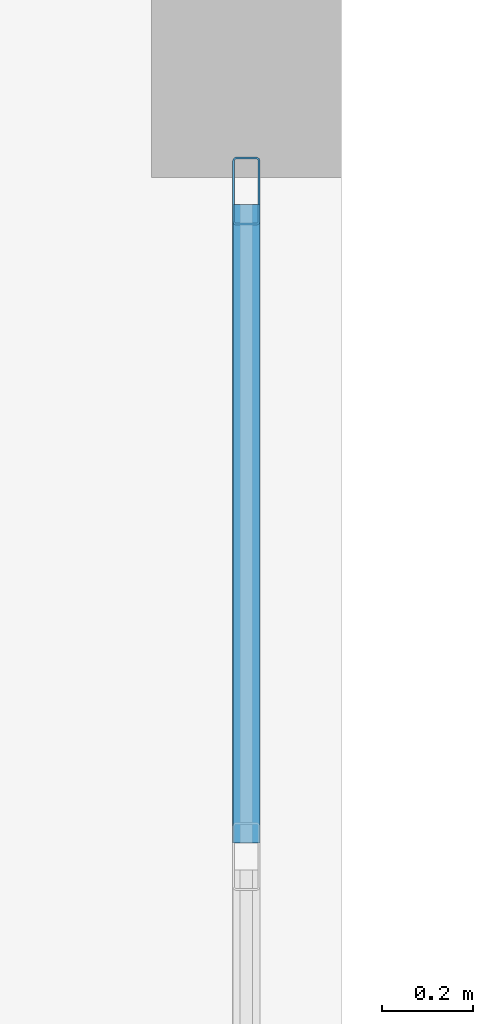
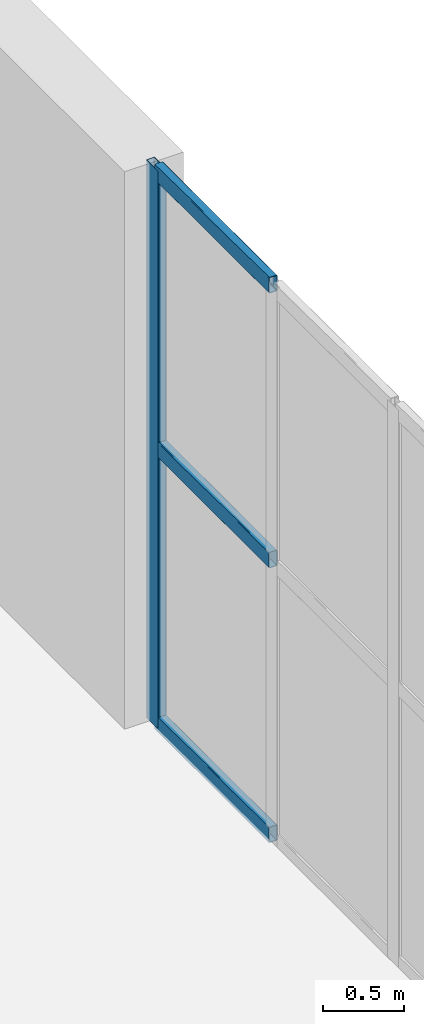
# One storey, part 6 of 14: 4 members, 1 element without a shape of its own.
"""IFC4 building model written with IfcOpenShell, lengths in metres."""

from ifc_helpers import new_model, entity, si_unit, converted_unit, direction, frame, origin_with_axes, origin_2d_with_axis, place, context, subcontext, project, spatial, hollow_rectangle, extrude, material, material_profile, profile_set, type_object, element, aggregate, save


model = new_model("IFC4")

# Units and contexts
model_context = context("Model", 3, precision=1e-05, world=origin_with_axes(), true_north=direction((0.0, 1.0)))
body_context = subcontext(model_context, "Body", "Model", "MODEL_VIEW")
ifc_project = project(units=[si_unit("LENGTHUNIT", "METRE"), si_unit("AREAUNIT", "SQUARE_METRE"), si_unit("VOLUMEUNIT", "CUBIC_METRE"), converted_unit("PLANEANGLEUNIT", "DEGREE", entity("IfcPlaneAngleMeasure", 0.017453292519943295), si_unit("PLANEANGLEUNIT", "RADIAN"), dimensions=[0, 0, 0, 0, 0, 0, 0]), si_unit("MASSUNIT", "GRAM", prefix="KILO"), si_unit("THERMODYNAMICTEMPERATUREUNIT", "KELVIN")], contexts=[model_context])

# Site, building, storey
site_placement = place(None, origin_with_axes())
site = spatial("IfcSite", under=ifc_project, at=site_placement, CompositionType="ELEMENT")
building_placement = place(site_placement, origin_with_axes())
building = spatial("IfcBuilding", under=site, at=building_placement, Name="Varnlund Millrace Tower", CompositionType="ELEMENT")
storey_placement = place(building_placement, frame((0.0, 0.0, 24.3), z_axis=(0.0, 0.0, 1.0), x_axis=(1.0, 0.0, 0.0)))
storey = spatial("IfcBuildingStorey", under=building, at=storey_placement, Name="L05", CompositionType="ELEMENT", Elevation=24.3)

# Curtain wall, members
ifc_material_1 = material(Name="Thermally broken architectural bronze curtain wall", Category="aluminium")
curtain_wall_type = type_object("IfcCurtainWallType", Name="Type-CW-Sys4-SkyLobby1", PredefinedType="NOTDEFINED", material=ifc_material_1)
curtain_wall_placement = place(storey_placement, frame((48.39, 45.3, 0.0), z_axis=(0.0, 0.0, 1.0), x_axis=(1.0, 0.0, 0.0)))
curtain_wall = element("IfcCurtainWall", 1, at=curtain_wall_placement, inside=storey, type_object=curtain_wall_type, Name="Type-CW-Sys4-SkyLobby1", PredefinedType="NOTDEFINED")
ifc_material_2 = material(Name="Architectural bronze aluminium alloy 6063-T6", Category="aluminium")
ifc_material_profile_1 = material_profile(ifc_material_2, hollow_rectangle(XDim=0.06, YDim=0.15, WallThickness=0.004, InnerFilletRadius=0.004, OuterFilletRadius=0.008, at=origin_2d_with_axis()), Name="Architectural bronze aluminium alloy 6063-T6")
ifc_profile_set_1 = profile_set([ifc_material_profile_1], Name="Architectural bronze aluminium alloy 6063-T6")
member_type_1 = type_object("IfcMemberType", Name="Type-CW-Mullion-60X150", PredefinedType="MULLION", material=ifc_profile_set_1)
member_1_placement = place(storey_placement, frame((48.39, 45.27, 0.0), z_axis=(0.0, 0.0, 1.0), x_axis=(1.0, 0.0, 0.0)))
member_1 = element("IfcMember", 2, at=member_1_placement, type_object=member_type_1, Name="CW-04 mullion 1", PredefinedType="MULLION", context=body_context, shape_type="SweptSolid", body=[
    extrude(hollow_rectangle(XDim=0.06, YDim=0.15, WallThickness=0.004, InnerFilletRadius=0.004, OuterFilletRadius=0.008, at=origin_2d_with_axis()), origin_with_axes(), (0.0, 0.0, 1.0), 4.2),
])
ifc_material_profile_2 = material_profile(ifc_material_2, hollow_rectangle(XDim=0.06, YDim=0.12, WallThickness=0.004, InnerFilletRadius=0.004, OuterFilletRadius=0.008, at=origin_2d_with_axis()), Name="Architectural bronze aluminium alloy 6063-T6")
ifc_profile_set_2 = profile_set([ifc_material_profile_2], Name="Architectural bronze aluminium alloy 6063-T6")
member_type_2 = type_object("IfcMemberType", Name="Type-CW-Transom-60X120", PredefinedType="USERDEFINED", material=ifc_profile_set_2)
member_2_placement = place(storey_placement, frame((48.39, 45.24, 0.03), z_axis=(0.0, -1.0, 0.0), x_axis=(1.0, 0.0, 0.0)))
member_2 = element("IfcMember", 3, at=member_2_placement, type_object=member_type_2, Name="CW-04 transom 1.1", ObjectType="TRANSOM", PredefinedType="USERDEFINED", context=body_context, shape_type="SweptSolid", body=[
    extrude(hollow_rectangle(XDim=0.06, YDim=0.12, WallThickness=0.004, InnerFilletRadius=0.004, OuterFilletRadius=0.008, at=origin_2d_with_axis()), origin_with_axes(), (0.0, 0.0, 1.0), 1.41),
])
member_3_placement = place(storey_placement, frame((48.39, 45.24, 2.1), z_axis=(0.0, -1.0, 0.0), x_axis=(1.0, 0.0, 0.0)))
member_3 = element("IfcMember", 4, at=member_3_placement, type_object=member_type_2, Name="CW-04 transom 1.2", ObjectType="TRANSOM", PredefinedType="USERDEFINED", context=body_context, shape_type="SweptSolid", body=[
    extrude(hollow_rectangle(XDim=0.06, YDim=0.12, WallThickness=0.004, InnerFilletRadius=0.004, OuterFilletRadius=0.008, at=origin_2d_with_axis()), origin_with_axes(), (0.0, 0.0, 1.0), 1.41),
])
member_4_placement = place(storey_placement, frame((48.39, 45.24, 4.17), z_axis=(0.0, -1.0, 0.0), x_axis=(1.0, 0.0, 0.0)))
member_4 = element("IfcMember", 5, at=member_4_placement, type_object=member_type_2, Name="CW-04 transom 1.3", ObjectType="TRANSOM", PredefinedType="USERDEFINED", context=body_context, shape_type="SweptSolid", body=[
    extrude(hollow_rectangle(XDim=0.06, YDim=0.12, WallThickness=0.004, InnerFilletRadius=0.004, OuterFilletRadius=0.008, at=origin_2d_with_axis()), origin_with_axes(), (0.0, 0.0, 1.0), 1.41),
])
aggregate(curtain_wall, [member_1, member_2, member_3, member_4])

save(model, "model.ifc")
